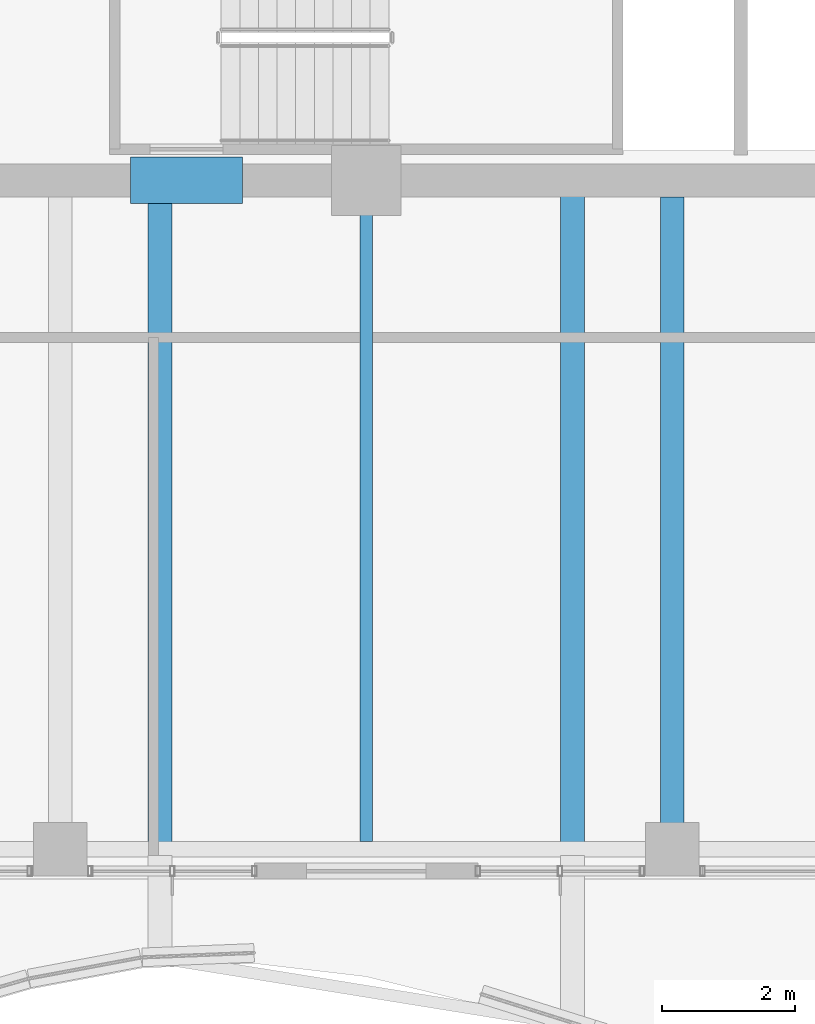
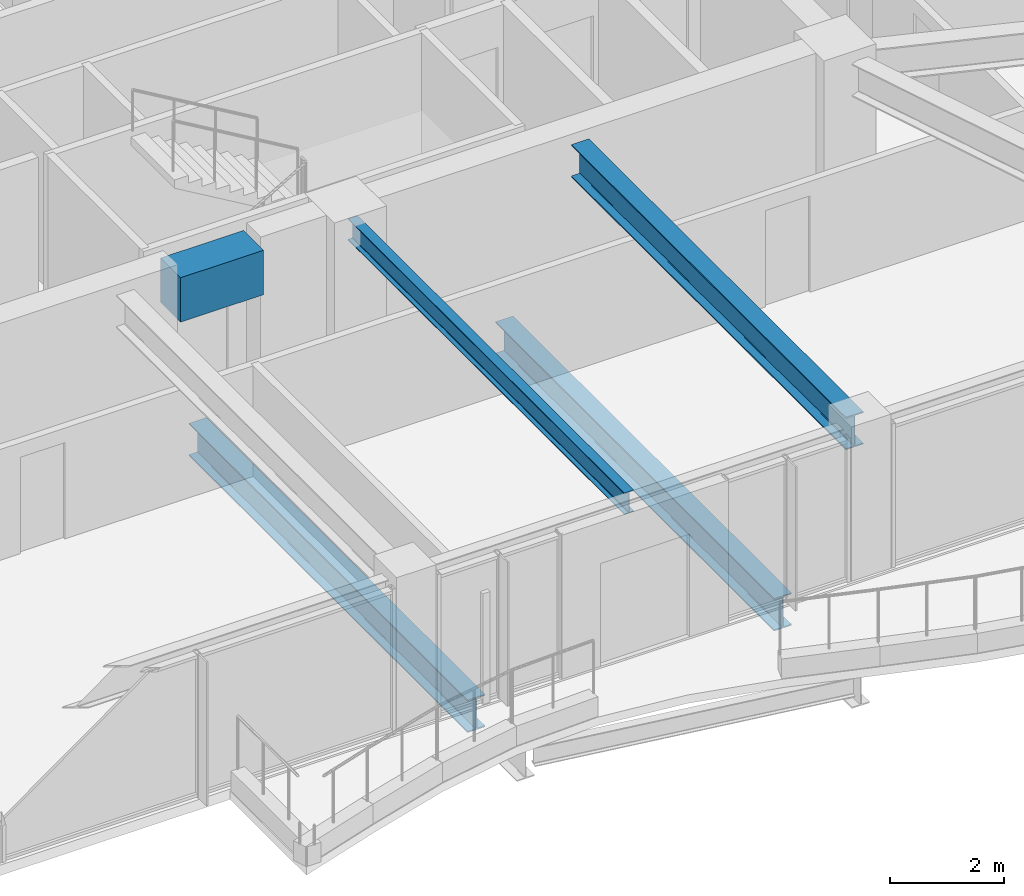
# One storey, part 8 of 36: 5 beams.
"""IFC4 building model written with IfcOpenShell, lengths in metres."""

import ifcopenshell
import ifcopenshell.guid

model = None  # the IFC model being written
_history = None  # IfcOwnerHistory: only IFC2X3 demands one
_inside = {}  # id of a spatial element -> (the spatial element, [elements in it])
_under = {}  # id of a project, library or spatial element -> (it, [spatial elements below it])
_declared = {}  # id of a project -> (the project, [libraries it declares])
_typed = {}  # id of a type object -> (the type object, [elements of that type])
_made_of = {}  # id of a material, layer set ... -> (it, [elements and type objects made of it])


def new_model(schema):
    """Start an empty IFC model of exactly this schema.

    Asked for "IFC4X3", IfcOpenShell would pick the latest addendum, in which some entities
    have other attributes; the version numbers below select the first issue.
    IFC2X3 requires an IfcOwnerHistory on every rooted entity: one is made here for all.
    """
    global model, _history
    if schema == "IFC4X3":
        model = ifcopenshell.file(schema_version=(4, 3, 0, 0))
    else:
        model = ifcopenshell.file(schema=schema)
    _inside.clear()
    _under.clear()
    _declared.clear()
    _typed.clear()
    _made_of.clear()
    _history = None
    if model.schema == "IFC2X3":
        org = make("IfcOrganization", Name="unknown")
        user = make(
            "IfcPersonAndOrganization",
            ThePerson=make("IfcPerson", FamilyName="unknown"),
            TheOrganization=org,
        )
        app = make(
            "IfcApplication",
            ApplicationDeveloper=org,
            Version="unknown",
            ApplicationFullName="unknown",
            ApplicationIdentifier="unknown",
        )
        _history = make(
            "IfcOwnerHistory",
            OwningUser=user,
            OwningApplication=app,
            ChangeAction="ADDED",
            CreationDate=0,
        )
    return model


def make(cls, **values):
    """One entity of the class cls with the attributes given. An attribute that is None is left unset."""
    return model.create_entity(
        cls, **{name: value for name, value in values.items() if value is not None}
    )


def rooted(cls, **values):
    """An entity with a GlobalId (a new one), such as an element, a storey or a relation."""
    return make(cls, GlobalId=ifcopenshell.guid.new(), OwnerHistory=_history, **values)


def si_unit(unit_type, name, prefix=None):
    """IfcSIUnit, for example si_unit("LENGTHUNIT", "METRE", prefix="MILLI")."""
    return make("IfcSIUnit", UnitType=unit_type, Prefix=prefix, Name=name)


def assignment(units):
    """IfcUnitAssignment: the units of a project."""
    return None if units is None else make("IfcUnitAssignment", Units=units)


def point(xyz):
    """IfcCartesianPoint."""
    return None if xyz is None else make("IfcCartesianPoint", Coordinates=xyz)


def direction(xyz):
    """IfcDirection."""
    return None if xyz is None else make("IfcDirection", DirectionRatios=xyz)


def frame(location, z_axis=None, x_axis=None):
    """IfcAxis2Placement3D, a coordinate frame: its origin and axes. An axis left out is left unset."""
    return make(
        "IfcAxis2Placement3D",
        Location=point(location),
        Axis=direction(z_axis),
        RefDirection=direction(x_axis),
    )


def frame_2d(location, x_axis=None):
    """IfcAxis2Placement2D, a coordinate frame in the plane: its origin and x axis."""
    return make(
        "IfcAxis2Placement2D", Location=point(location), RefDirection=direction(x_axis)
    )


def origin():
    """The frame at (0, 0, 0) with its axes left unset."""
    return frame((0.0, 0.0, 0.0))


def origin_2d():
    """The frame at (0, 0) in the plane with its x axis left unset."""
    return frame_2d((0.0, 0.0))


def place(relative_to, where):
    """IfcLocalPlacement: puts the frame where relative to a parent placement (None: the world)."""
    return make(
        "IfcLocalPlacement", PlacementRelTo=relative_to, RelativePlacement=where
    )


def context(
    kind, dimensions, precision=None, world=None, true_north=None, identifier=None
):
    """IfcGeometricRepresentationContext, for example the 3D "Model" context."""
    return make(
        "IfcGeometricRepresentationContext",
        ContextIdentifier=identifier,
        ContextType=kind,
        CoordinateSpaceDimension=dimensions,
        Precision=precision,
        WorldCoordinateSystem=world,
        TrueNorth=true_north,
    )


def subcontext(parent, identifier, kind, view, scale=None):
    """IfcGeometricRepresentationSubContext, for example "Body" below "Model"."""
    return make(
        "IfcGeometricRepresentationSubContext",
        ContextIdentifier=identifier,
        ContextType=kind,
        ParentContext=parent,
        TargetScale=scale,
        TargetView=view,
    )


def project(units=None, contexts=None):
    """IfcProject with its units and contexts."""
    return rooted(
        "IfcProject",
        Name="project",
        RepresentationContexts=contexts,
        UnitsInContext=assignment(units),
    )


def spatial(cls, under=None, at=None, **own):
    """A site, building, storey or space (cls), placed at a placement, below another one or the project."""
    s = rooted(cls, ObjectPlacement=at, **own)
    if under is not None:
        _under.setdefault(under.id(), (under, []))[1].append(s)
    return s


def profile(cls, at=None, kind="AREA", **sizes):
    """A parametric profile (cls). Its sizes go by their IFC names, for example OverallWidth=200.0."""
    return make(cls, ProfileType=kind, Position=at, **sizes)


def rectangle(**sizes):
    """IfcRectangleProfileDef."""
    return profile("IfcRectangleProfileDef", **sizes)


def i_section(**sizes):
    """IfcIShapeProfileDef."""
    return profile("IfcIShapeProfileDef", **sizes)


def extrude(swept, where, along, depth):
    """IfcExtrudedAreaSolid: the profile swept, set in the frame where, extruded along a direction by depth."""
    return make(
        "IfcExtrudedAreaSolid",
        SweptArea=swept,
        Position=where,
        ExtrudedDirection=direction(along),
        Depth=depth,
    )


def shape(context_of_items, identifier, shape_type, items):
    """IfcShapeRepresentation: the items that make up one representation, for example the "Body"."""
    return make(
        "IfcShapeRepresentation",
        ContextOfItems=context_of_items,
        RepresentationIdentifier=identifier,
        RepresentationType=shape_type,
        Items=items,
    )


def material(Name=None, Category=None):
    """IfcMaterial."""
    return make("IfcMaterial", Name=Name, Category=Category)


def material_profile(
    of_material, cross_section, Name=None, Category=None, Priority=None
):
    """IfcMaterialProfile: a cross section and its material."""
    return make(
        "IfcMaterialProfile",
        Name=Name,
        Material=of_material,
        Profile=cross_section,
        Priority=Priority,
        Category=Category,
    )


def profile_set(profiles, Name=None, composite=None):
    """IfcMaterialProfileSet."""
    return make(
        "IfcMaterialProfileSet",
        Name=Name,
        MaterialProfiles=profiles,
        CompositeProfile=composite,
    )


def made_of(thing, what):
    """Note that an element or type object is made of a material, layer set ...; save() writes the relation."""
    if what is not None:
        _made_of.setdefault(what.id(), (what, []))[1].append(thing)
    return thing


def type_object(cls, material=None, **own):
    """A type object (cls), such as IfcWallType, which elements share."""
    return made_of(rooted(cls, **own), material)


def element(
    cls,
    number,
    at=None,
    inside=None,
    cuts=None,
    type_object=None,
    material=None,
    context=None,
    identifier="Body",
    shape_type=None,
    held_by="IfcProductDefinitionShape",
    body=None,
    shapes=None,
    **own,
):
    """One element of the class cls, such as IfcWall. Its Tag is "e" and its number.

    at: its placement. inside: the storey or other place that contains it. cuts: it is an
    opening in that element (IfcRelVoidsElement). A single representation is given by context,
    identifier, shape_type and body (its items); several are given by shapes. held_by: the class
    of the entity that holds the representations. save() writes the other relations.
    """
    e = rooted(cls, Tag="e%d" % number, ObjectPlacement=at, **own)
    if body is not None:
        shapes = [shape(context, identifier, shape_type, body)]
    if shapes is not None:
        e.Representation = make(held_by, Representations=shapes)
    if inside is not None:
        _inside.setdefault(inside.id(), (inside, []))[1].append(e)
    if cuts is not None:
        rooted(
            "IfcRelVoidsElement", RelatingBuildingElement=cuts, RelatedOpeningElement=e
        )
    if type_object is not None:
        _typed.setdefault(type_object.id(), (type_object, []))[1].append(e)
    return made_of(e, material)


def aggregate(whole, parts):
    """IfcRelAggregates: a whole, such as a stair, and the parts it consists of."""
    return rooted("IfcRelAggregates", RelatingObject=whole, RelatedObjects=parts)


def save(model, path):
    """Write the relations noted so far, then the file.

    IfcRelAggregates (storeys below a building ...), IfcRelContainedInSpatialStructure (elements
    in a storey), IfcRelDefinesByType, IfcRelAssociatesMaterial and IfcRelDeclares: one each for
    every whole, place, type object, material and project.
    """
    for whole, parts in _under.values():
        aggregate(whole, parts)
    for where, things in _inside.values():
        rooted(
            "IfcRelContainedInSpatialStructure",
            RelatedElements=things,
            RelatingStructure=where,
        )
    for kind, things in _typed.values():
        rooted("IfcRelDefinesByType", RelatedObjects=things, RelatingType=kind)
    for what, things in _made_of.values():
        rooted("IfcRelAssociatesMaterial", RelatedObjects=things, RelatingMaterial=what)
    for by, libraries in _declared.values():
        rooted("IfcRelDeclares", RelatingContext=by, RelatedDefinitions=libraries)
    model.write(path)


model = new_model("IFC4")

# Units and contexts
model_context = context("Model", 3, precision=1e-05, world=origin(), true_north=direction((0.0, 1.0)))
body_context = subcontext(model_context, "Body", "Model", "MODEL_VIEW")
ifc_project = project(units=[si_unit("LENGTHUNIT", "METRE"), si_unit("AREAUNIT", "SQUARE_METRE"), si_unit("VOLUMEUNIT", "CUBIC_METRE"), si_unit("PLANEANGLEUNIT", "RADIAN"), si_unit("MASSUNIT", "GRAM", prefix="KILO")], contexts=[model_context])

# Site, building, storey
site_placement = place(None, origin())
site = spatial("IfcSite", under=ifc_project, at=site_placement, CompositionType="ELEMENT")
building_placement = place(site_placement, origin())
building = spatial("IfcBuilding", under=site, at=building_placement, Name="Kolvaren Belvedere", CompositionType="ELEMENT")
storey_placement = place(building_placement, frame((0.0, 0.0, 196.5)))
storey = spatial("IfcBuildingStorey", under=building, at=storey_placement, Name="L57", CompositionType="ELEMENT", Elevation=196.5)

# Beams
ifc_material_1 = material(Name="Structural steel ASTM A992 Grade 50", Category="steel")
ifc_material_profile_1 = material_profile(ifc_material_1, i_section(OverallWidth=0.35498046875, OverallDepth=0.696044921875, WebThickness=0.015380859375, FlangeThickness=0.02490234375, FilletRadius=0.02197265625, at=origin_2d()), Name="W27X146")
ifc_profile_set_1 = profile_set([ifc_material_profile_1], Name="Structural steel ASTM A992 Grade 50")
beam_type_1 = type_object("IfcBeamType", Name="BM-GIRD-W27X146", PredefinedType="BEAM", material=ifc_profile_set_1)
for number, where, z_axis, x_axis, name in (
    (1, (-3.10009765625, -10.090087890625, -0.568115234375), (0.0, -1.0, 0.0), (1.0, 0.0, 0.0), "L57 Balcony Interior Back-Span Girder BAL-S-1"),
    (2, (3.10009765625, -10.090087890625, -0.568115234375), (0.0, -1.0, 0.0), (1.0, 0.0, 0.0), "L57 Balcony Interior Back-Span Girder BAL-S-2"),
):
    element("IfcBeam", number, at=place(storey_placement, frame(where, z_axis=z_axis, x_axis=x_axis)), inside=storey, type_object=beam_type_1, Name=name, PredefinedType="BEAM", context=body_context, shape_type="SweptSolid", body=[
        extrude(i_section(OverallWidth=0.35498046875, OverallDepth=0.696044921875, WebThickness=0.015380859375, FlangeThickness=0.02490234375, FilletRadius=0.02197265625, at=origin_2d()), origin(), (0.0, 0.0, 1.0), 9.764892578125),
    ])
beam_1_placement = place(storey_placement, frame((4.60009765625, -10.14990234375, 2.73193359375), z_axis=(0.0, -1.0, 0.0), x_axis=(1.0, 0.0, 0.0)))
element("IfcBeam", 3, at=beam_1_placement, inside=storey, type_object=beam_type_1, Name="L57 South Radial Girder P", PredefinedType="BEAM", context=body_context, shape_type="SweptSolid", body=[
    extrude(i_section(OverallWidth=0.35498046875, OverallDepth=0.696044921875, WebThickness=0.015380859375, FlangeThickness=0.02490234375, FilletRadius=0.02197265625, at=origin_2d()), origin(), (0.0, 0.0, 1.0), 9.6201171875),
])
ifc_material_2 = material(Name="Structural steel ASTM A992 Grade 50", Category="steel")
ifc_material_profile_2 = material_profile(ifc_material_2, i_section(OverallWidth=0.19091796875, OverallDepth=0.4599609375, WebThickness=0.010009765625, FlangeThickness=0.01611328125, FilletRadius=0.014892578125, at=origin_2d()), Name="W18X55")
ifc_profile_set_2 = profile_set([ifc_material_profile_2], Name="Structural steel ASTM A992 Grade 50")
beam_type_2 = type_object("IfcBeamType", Name="BM-JOIST-W18X55", PredefinedType="BEAM", material=ifc_profile_set_2)
beam_2_placement = place(storey_placement, frame((0.0, -10.14990234375, 2.85009765625), z_axis=(0.0, -1.0, 0.0), x_axis=(1.0, 0.0, 0.0)))
element("IfcBeam", 4, at=beam_2_placement, inside=storey, type_object=beam_type_2, Name="L57 South Centre Floor Beam", PredefinedType="BEAM", context=body_context, shape_type="SweptSolid", body=[
    extrude(i_section(OverallWidth=0.19091796875, OverallDepth=0.4599609375, WebThickness=0.010009765625, FlangeThickness=0.01611328125, FilletRadius=0.014892578125, at=origin_2d()), origin(), (0.0, 0.0, 1.0), 9.685546875),
])
ifc_material_3 = material(Name="Concrete C60/75", Category="concrete")
ifc_material_profile_3 = material_profile(ifc_material_3, rectangle(XDim=0.699951171875, YDim=0.949951171875, at=origin_2d()), Name="RC 700X950")
ifc_profile_set_3 = profile_set([ifc_material_profile_3], Name="Concrete C60/75")
beam_type_3 = type_object("IfcBeamType", Name="BM-LINT-950", PredefinedType="LINTEL", material=ifc_profile_set_3)
beam_3_placement = place(storey_placement, frame((-3.5400390625, -9.89990234375, 2.60498046875), z_axis=(1.0, 0.0, 0.0), x_axis=(0.0, 1.0, 0.0)))
element("IfcBeam", 5, at=beam_3_placement, inside=storey, type_object=beam_type_3, Name="L57 South Core Coupling Lintel", PredefinedType="LINTEL", context=body_context, shape_type="SweptSolid", body=[
    extrude(rectangle(XDim=0.699951171875, YDim=0.949951171875, at=origin_2d()), origin(), (0.0, 0.0, 1.0), 1.679931640625),
])

save(model, "model.ifc")
